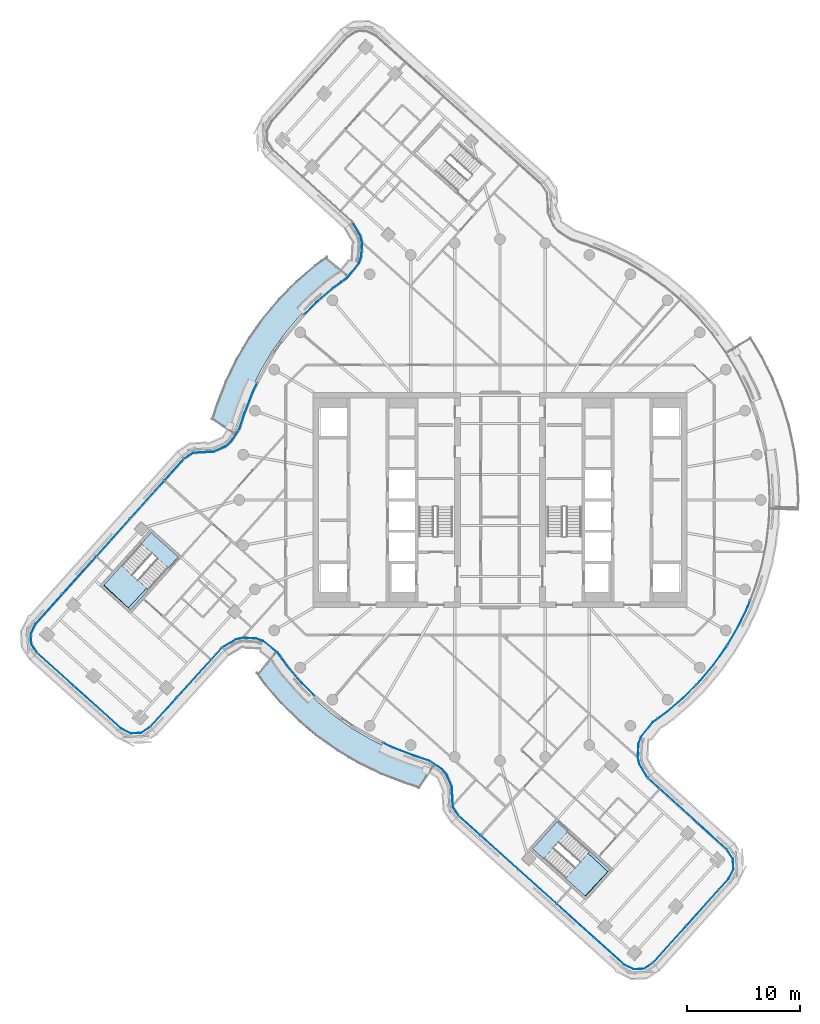
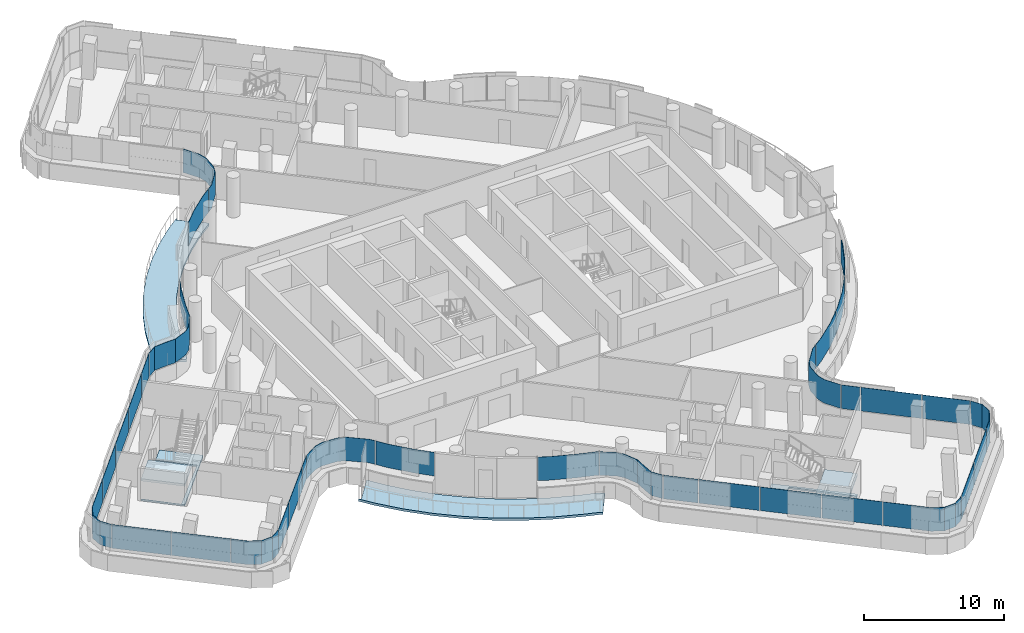
# One storey, part 16 of 31: 34 plates, 6 slabs, 11 elements without a shape of their own.
"""IFC4 building model written with IfcOpenShell, lengths in metres."""

from ifc_helpers import new_model, si_unit, direction, frame, origin, place, context, subcontext, project, spatial, polyline, outline, extrude, material, layer, layer_set, type_object, element, aggregate, save


model = new_model("IFC4")

# Units and contexts
model_context = context("Model", 3, precision=1e-05, world=origin(), true_north=direction((0.0, 1.0)))
body_context = subcontext(model_context, "Body", "Model", "MODEL_VIEW")
ifc_project = project(units=[si_unit("LENGTHUNIT", "METRE"), si_unit("AREAUNIT", "SQUARE_METRE"), si_unit("VOLUMEUNIT", "CUBIC_METRE"), si_unit("PLANEANGLEUNIT", "RADIAN"), si_unit("MASSUNIT", "GRAM", prefix="KILO")], contexts=[model_context])

# Site, building, storey
site_placement = place(None, origin())
site = spatial("IfcSite", under=ifc_project, at=site_placement, CompositionType="ELEMENT")
building_placement = place(site_placement, origin())
building = spatial("IfcBuilding", under=site, at=building_placement, Name="Tamarind Cross Interchange Tower", CompositionType="ELEMENT")
storey_placement = place(building_placement, frame((0.0, 0.0, 207.699951171875)))
storey = spatial("IfcBuildingStorey", under=building, at=storey_placement, Name="L52", CompositionType="ELEMENT", Elevation=207.699951171875)

# Slabs
ifc_material_1 = material(Name="Precast concrete C40", Category="concrete")
ifc_layer_1 = layer(ifc_material_1, 0.199951171875)
ifc_layer_set_1 = layer_set([ifc_layer_1], Name="Precast concrete C40")
slab_type_1 = type_object("IfcSlabType", Name="Balcony slab", PredefinedType="BASESLAB", material=ifc_layer_set_1)
slab_1_placement = place(storey_placement, frame((0.0, 0.0, -0.199951171875)))
element("IfcSlab", 1, at=slab_1_placement, inside=storey, type_object=slab_type_1, Name="SLB-L52-BAL02", PredefinedType="BASESLAB", context=body_context, shape_type="SweptSolid", body=[
    extrude(outline(polyline([(-19.82958984375, -13.552001953125), (-19.732177734375, -13.630615234375), (-18.87255859375, -14.820068359375), (-17.584228515625, -16.327880859375), (-16.17578125, -17.72412109375), (-14.656982421875, -18.99951171875), (-13.0380859375, -20.14501953125), (-11.329833984375, -21.15283203125), (-9.54443359375, -22.01611328125), (-7.69384765625, -22.72900390625), (-6.324951171875, -23.1806640625), (-5.8876953125, -23.4677734375), (-7.20556640625, -25.4736328125), (-7.377685546875, -25.360595703125), (-8.50146484375, -24.989990234375), (-10.499755859375, -24.219970703125), (-12.464111328125, -23.270263671875), (-14.343017578125, -22.161376953125), (-16.124267578125, -20.9013671875), (-17.795166015625, -19.498291015625), (-19.344482421875, -17.96240234375), (-20.760498046875, -16.304931640625), (-21.48974609375, -15.2958984375), (-21.33837890625, -15.41845703125), (-19.82958984375, -13.552001953125)])), origin(), (0.0, 0.0, 1.0), 0.199951171875),
])
slab_2_placement = place(storey_placement, frame((0.0, 0.0, -0.199951171875)))
element("IfcSlab", 2, at=slab_2_placement, inside=storey, type_object=slab_type_1, Name="SLB-L52-BAL10", PredefinedType="BASESLAB", context=body_context, shape_type="SweptSolid", body=[
    extrude(outline(polyline([(-13.552001953125, 19.82958984375), (-13.630615234375, 19.732177734375), (-14.820068359375, 18.87255859375), (-16.327880859375, 17.584228515625), (-17.72412109375, 16.17578125), (-18.99951171875, 14.656982421875), (-20.14501953125, 13.0380859375), (-21.15283203125, 11.329833984375), (-22.01611328125, 9.54443359375), (-22.72900390625, 7.69384765625), (-23.1806640625, 6.324951171875), (-23.4677734375, 5.8876953125), (-25.4736328125, 7.20556640625), (-25.360595703125, 7.377685546875), (-24.989990234375, 8.50146484375), (-24.219970703125, 10.499755859375), (-23.270263671875, 12.464111328125), (-22.161376953125, 14.343017578125), (-20.9013671875, 16.124267578125), (-19.498291015625, 17.795166015625), (-17.96240234375, 19.344482421875), (-16.304931640625, 20.760498046875), (-15.2958984375, 21.48974609375), (-15.41845703125, 21.33837890625), (-13.552001953125, 19.82958984375)])), origin(), (0.0, 0.0, 1.0), 0.199951171875),
])
ifc_material_2 = material(Name="Concrete C35", Category="concrete")
ifc_layer_2 = layer(ifc_material_2, 0.139892578125)
ifc_layer_set_2 = layer_set([ifc_layer_2], Name="Concrete C35")
slab_type_2 = type_object("IfcSlabType", Name="Composite slab 140 Concrete C35", PredefinedType="FLOOR", material=ifc_layer_set_2)
slab_3_placement = place(storey_placement, frame((0.0, 0.0, -0.139892578125)))
element("IfcSlab", 3, at=slab_3_placement, inside=storey, type_object=slab_type_2, Name="Floor slab L52", PredefinedType="FLOOR", context=body_context, shape_type="SweptSolid", body=[
    extrude(outline(polyline([(-28.38818359375, -5.01513671875), (-30.7685546875, -2.87646484375), (-31.645263671875, -3.852294921875), (-29.3916015625, -5.87744140625), (-32.773681640625, -9.506591796875), (-34.924560546875, -7.502197265625), (-34.97900390625, -7.562744140625), (-32.5986328125, -9.701416015625), (-28.38818359375, -5.01513671875)])), origin(), (0.0, 0.0, 1.0), 0.139892578125),
])
slab_4_placement = place(storey_placement, frame((0.0, 0.0, -0.139892578125)))
element("IfcSlab", 4, at=slab_4_placement, inside=storey, type_object=slab_type_2, Name="Floor slab L52", PredefinedType="FLOOR", context=body_context, shape_type="SweptSolid", body=[
    extrude(outline(polyline([(7.562744140625, -34.97900390625), (9.701416015625, -32.5986328125), (5.01513671875, -28.38818359375), (2.87646484375, -30.7685546875), (3.852294921875, -31.645263671875), (5.87744140625, -29.3916015625), (9.506591796875, -32.773681640625), (7.502197265625, -34.924560546875), (7.562744140625, -34.97900390625)])), origin(), (0.0, 0.0, 1.0), 0.139892578125),
])

# Stair, slab
ifc_material_3 = material(Name="Exit stair")
stair_type = type_object("IfcStairType", Name="Exit stair", PredefinedType="HALF_TURN_STAIR", material=ifc_material_3)
stair_1_placement = place(storey_placement, origin())
stair_1 = element("IfcStair", 5, at=stair_1_placement, inside=storey, type_object=stair_type, Name="L52 exit stair ST5", PredefinedType="HALF_TURN_STAIR")
ifc_material_4 = material(Name="Concrete C40", Category="concrete")
ifc_layer_3 = layer(ifc_material_4, 0.199951171875)
ifc_layer_set_3 = layer_set([ifc_layer_3], Name="Concrete C40")
slab_type_3 = type_object("IfcSlabType", Name="Stair landing", PredefinedType="LANDING", material=ifc_layer_set_3)
slab_5_placement = place(storey_placement, frame((0.0, 0.0, 1.60009765625)))
slab_5 = element("IfcSlab", 6, at=slab_5_placement, type_object=slab_type_3, Name="ST5 landing 1", PredefinedType="LANDING", context=body_context, shape_type="SweptSolid", body=[
    extrude(outline(polyline([(-33.366943359375, -5.7685546875), (-34.97900390625, -7.562744140625), (-32.5986328125, -9.701416015625), (-30.986572265625, -7.9072265625), (-33.366943359375, -5.7685546875)])), origin(), (0.0, 0.0, 1.0), 0.199951171875),
])
aggregate(stair_1, [slab_5])

stair_2_placement = place(storey_placement, origin())
stair_2 = element("IfcStair", 7, at=stair_2_placement, inside=storey, type_object=stair_type, Name="L52 exit stair ST6", PredefinedType="HALF_TURN_STAIR")
slab_6_placement = place(storey_placement, frame((0.0, 0.0, 1.60009765625)))
slab_6 = element("IfcSlab", 8, at=slab_6_placement, type_object=slab_type_3, Name="ST6 landing 1", PredefinedType="LANDING", context=body_context, shape_type="SweptSolid", body=[
    extrude(outline(polyline([(5.7685546875, -33.366943359375), (7.562744140625, -34.97900390625), (9.701416015625, -32.5986328125), (7.9072265625, -30.986572265625), (5.7685546875, -33.366943359375)])), origin(), (0.0, 0.0, 1.0), 0.199951171875),
])
aggregate(stair_2, [slab_6])

# Curtain wall, plates
ifc_material_5 = material(Name="Aluminium 6063-T6", Category="aluminium")
ifc_layer_4 = layer(ifc_material_5, 0.139892578125)
ifc_layer_set_4 = layer_set([ifc_layer_4], Name="Aluminium 6063-T6")
curtain_wall_type = type_object("IfcCurtainWallType", Name="Hotel curtain wall, 4.5 m bays", PredefinedType="NOTDEFINED", material=ifc_layer_set_4)
curtain_wall_1_placement = place(storey_placement, origin())
curtain_wall_1 = element("IfcCurtainWall", 9, at=curtain_wall_1_placement, inside=storey, type_object=curtain_wall_type, Name="CWS-L52-00", PredefinedType="NOTDEFINED")
ifc_material_6 = material(Name="Laminated low-e glass 6+1.52+6", Category="glass")
ifc_layer_5 = layer(ifc_material_6, 0.02392578125)
ifc_layer_set_5 = layer_set([ifc_layer_5], Name="Laminated low-e glass 6+1.52+6")
plate_type = type_object("IfcPlateType", Name="Vision panel CW2", PredefinedType="CURTAIN_PANEL", material=ifc_layer_set_5)
plate_1_placement = place(storey_placement, frame((0.0, 0.0, 1.400146484375)))
plate_1 = element("IfcPlate", 10, at=plate_1_placement, type_object=plate_type, Name="CWP-L52-00-00", PredefinedType="CURTAIN_PANEL", context=body_context, shape_type="SweptSolid", body=[
    extrude(outline(polyline([(-40.7919921875, -13.518310546875), (-37.604248046875, -16.382568359375), (-37.6201171875, -16.400390625), (-40.80810546875, -13.5361328125), (-40.7919921875, -13.518310546875)])), origin(), (0.0, 0.0, 1.0), 2.059814453125),
])
plate_2_placement = place(storey_placement, frame((0.0, 0.0, 1.400146484375)))
plate_2 = element("IfcPlate", 11, at=plate_2_placement, type_object=plate_type, Name="CWP-L52-00-01", PredefinedType="CURTAIN_PANEL", context=body_context, shape_type="SweptSolid", body=[
    extrude(outline(polyline([(-37.5595703125, -16.422607421875), (-34.37158203125, -19.286865234375), (-34.3876953125, -19.3046875), (-37.575439453125, -16.4404296875), (-37.5595703125, -16.422607421875)])), origin(), (0.0, 0.0, 1.0), 2.059814453125),
])
plate_3_placement = place(storey_placement, frame((0.0, 0.0, 1.400146484375)))
plate_3 = element("IfcPlate", 12, at=plate_3_placement, type_object=plate_type, Name="CWP-L52-00-02", PredefinedType="CURTAIN_PANEL", context=body_context, shape_type="SweptSolid", body=[
    extrude(outline(polyline([(-34.326904296875, -19.326904296875), (-33.416015625, -20.1455078125), (-32.568603515625, -20.576171875), (-31.6484375, -20.52685546875), (-30.875, -20.0234375), (-30.862060546875, -20.043701171875), (-31.640625, -20.550537109375), (-32.57373046875, -20.600341796875), (-33.4296875, -20.165283203125), (-34.343017578125, -19.344970703125), (-34.326904296875, -19.326904296875)])), origin(), (0.0, 0.0, 1.0), 2.059814453125),
])
aggregate(curtain_wall_1, [plate_1, plate_2, plate_3])

curtain_wall_2_placement = place(storey_placement, origin())
curtain_wall_2 = element("IfcCurtainWall", 13, at=curtain_wall_2_placement, inside=storey, type_object=curtain_wall_type, Name="CWS-L52-01", PredefinedType="NOTDEFINED")
plate_4_placement = place(storey_placement, frame((0.0, 0.0, 1.400146484375)))
plate_4 = element("IfcPlate", 14, at=plate_4_placement, type_object=plate_type, Name="CWP-L52-01-00", PredefinedType="CURTAIN_PANEL", context=body_context, shape_type="SweptSolid", body=[
    extrude(outline(polyline([(-30.832275390625, -19.987060546875), (-28.501953125, -17.417724609375), (-28.484375, -17.433837890625), (-30.814453125, -20.003173828125), (-30.832275390625, -19.987060546875)])), origin(), (0.0, 0.0, 1.0), 2.059814453125),
])
plate_5_placement = place(storey_placement, frame((0.0, 0.0, 1.400146484375)))
plate_5 = element("IfcPlate", 15, at=plate_5_placement, type_object=plate_type, Name="CWP-L52-01-01", PredefinedType="CURTAIN_PANEL", context=body_context, shape_type="SweptSolid", body=[
    extrude(outline(polyline([(-28.461669921875, -17.373291015625), (-25.477783203125, -14.0830078125), (-25.4599609375, -14.09912109375), (-28.444091796875, -17.389404296875), (-28.461669921875, -17.373291015625)])), origin(), (0.0, 0.0, 1.0), 2.059814453125),
])
plate_6_placement = place(storey_placement, frame((0.0, 0.0, 1.400146484375)))
plate_6 = element("IfcPlate", 16, at=plate_6_placement, type_object=plate_type, Name="CWP-L52-01-02", PredefinedType="CURTAIN_PANEL", context=body_context, shape_type="SweptSolid", body=[
    extrude(outline(polyline([(-25.4375, -14.03857421875), (-24.521240234375, -13.0283203125), (-24.50341796875, -13.04443359375), (-25.419677734375, -14.0546875), (-25.4375, -14.03857421875)])), origin(), (0.0, 0.0, 1.0), 2.059814453125),
])
aggregate(curtain_wall_2, [plate_4, plate_5, plate_6])

curtain_wall_3_placement = place(storey_placement, origin())
curtain_wall_3 = element("IfcCurtainWall", 17, at=curtain_wall_3_placement, inside=storey, type_object=curtain_wall_type, Name="CWS-L52-02", PredefinedType="NOTDEFINED")
plate_7_placement = place(storey_placement, frame((0.0, 0.0, 1.400146484375)))
plate_7 = element("IfcPlate", 18, at=plate_7_placement, type_object=plate_type, Name="CWP-L52-02-00", PredefinedType="CURTAIN_PANEL", context=body_context, shape_type="SweptSolid", body=[
    extrude(outline(polyline([(-24.47265625, -12.988525390625), (-23.31982421875, -12.29638671875), (-22.7001953125, -12.143310546875), (-21.476318359375, -12.2119140625), (-20.875, -12.434326171875), (-19.576904296875, -13.483642578125), (-19.29150390625, -13.87841796875), (-19.31103515625, -13.892578125), (-19.594482421875, -13.500244140625), (-20.886962890625, -12.45556640625), (-21.481201171875, -12.235595703125), (-22.697998046875, -12.16748046875), (-23.310546875, -12.31884765625), (-24.46044921875, -13.009033203125), (-24.47265625, -12.988525390625)])), origin(), (0.0, 0.0, 1.0), 2.059814453125),
])
plate_8_placement = place(storey_placement, frame((0.0, 0.0, 1.400146484375)))
plate_8 = element("IfcPlate", 19, at=plate_8_placement, type_object=plate_type, Name="CWP-L52-02-01", PredefinedType="CURTAIN_PANEL", context=body_context, shape_type="SweptSolid", body=[
    extrude(outline(polyline([(-19.25634765625, -13.927001953125), (-18.705810546875, -14.688720703125), (-17.4287109375, -16.183349609375), (-16.349609375, -17.25341796875), (-16.366455078125, -17.2705078125), (-17.4462890625, -16.19970703125), (-18.724609375, -14.70361328125), (-19.27587890625, -13.941162109375), (-19.25634765625, -13.927001953125)])), origin(), (0.0, 0.0, 1.0), 2.059814453125),
])
plate_9_placement = place(storey_placement, frame((0.0, 0.0, 1.400146484375)))
plate_9 = element("IfcPlate", 20, at=plate_9_placement, type_object=plate_type, Name="CWP-L52-02-03", PredefinedType="CURTAIN_PANEL", context=body_context, shape_type="SweptSolid", body=[
    extrude(outline(polyline([(-10.26904296875, -21.43017578125), (-9.4599609375, -21.821533203125), (-7.622314453125, -22.529296875), (-6.23193359375, -22.988037109375), (-6.1435546875, -23.046142578125), (-6.15673828125, -23.066162109375), (-6.242431640625, -23.009765625), (-7.63037109375, -22.552001953125), (-9.469482421875, -21.843505859375), (-10.279541015625, -21.451904296875), (-10.26904296875, -21.43017578125)])), origin(), (0.0, 0.0, 1.0), 2.059814453125),
])
plate_10_placement = place(storey_placement, frame((0.0, 0.0, 1.400146484375)))
plate_10 = element("IfcPlate", 21, at=plate_10_placement, type_object=plate_type, Name="CWP-L52-02-04", PredefinedType="CURTAIN_PANEL", context=body_context, shape_type="SweptSolid", body=[
    extrude(outline(polyline([(-6.09326171875, -23.0791015625), (-5.107177734375, -23.72705078125), (-4.705322265625, -24.206298828125), (-4.2275390625, -25.31884765625), (-4.206298828125, -26.1552734375), (-4.134521484375, -27.09814453125), (-3.640380859375, -27.844970703125), (-3.660400390625, -27.8583984375), (-4.157958984375, -27.106201171875), (-4.230224609375, -26.156494140625), (-4.25146484375, -25.323974609375), (-4.72607421875, -24.218994140625), (-5.123291015625, -23.7451171875), (-6.1064453125, -23.09912109375), (-6.09326171875, -23.0791015625)])), origin(), (0.0, 0.0, 1.0), 2.059814453125),
])
aggregate(curtain_wall_3, [plate_7, plate_8, plate_9, plate_10])

curtain_wall_4_placement = place(storey_placement, origin())
curtain_wall_4 = element("IfcCurtainWall", 22, at=curtain_wall_4_placement, inside=storey, type_object=curtain_wall_type, Name="CWS-L52-03", PredefinedType="NOTDEFINED")
plate_11_placement = place(storey_placement, frame((0.0, 0.0, 1.400146484375)))
plate_11 = element("IfcPlate", 23, at=plate_11_placement, type_object=plate_type, Name="CWP-L52-03-00", PredefinedType="CURTAIN_PANEL", context=body_context, shape_type="SweptSolid", body=[
    extrude(outline(polyline([(-3.603515625, -27.8876953125), (-1.718505859375, -29.58154296875), (-1.734375, -29.599365234375), (-3.619384765625, -27.90576171875), (-3.603515625, -27.8876953125)])), origin(), (0.0, 0.0, 1.0), 2.059814453125),
])
plate_12_placement = place(storey_placement, frame((0.0, 0.0, 1.400146484375)))
plate_12 = element("IfcPlate", 24, at=plate_12_placement, type_object=plate_type, Name="CWP-L52-03-01", PredefinedType="CURTAIN_PANEL", context=body_context, shape_type="SweptSolid", body=[
    extrude(outline(polyline([(-1.673828125, -29.62158203125), (1.6201171875, -32.5810546875), (1.60400390625, -32.598876953125), (-1.68994140625, -29.639404296875), (-1.673828125, -29.62158203125)])), origin(), (0.0, 0.0, 1.0), 2.059814453125),
])
plate_13_placement = place(storey_placement, frame((0.0, 0.0, 1.400146484375)))
plate_13 = element("IfcPlate", 25, at=plate_13_placement, type_object=plate_type, Name="CWP-L52-03-02", PredefinedType="CURTAIN_PANEL", context=body_context, shape_type="SweptSolid", body=[
    extrude(outline(polyline([(1.66455078125, -32.62109375), (4.95849609375, -35.58056640625), (4.9423828125, -35.598388671875), (1.648681640625, -32.638916015625), (1.66455078125, -32.62109375)])), origin(), (0.0, 0.0, 1.0), 2.059814453125),
])
plate_14_placement = place(storey_placement, frame((0.0, 0.0, 1.400146484375)))
plate_14 = element("IfcPlate", 26, at=plate_14_placement, type_object=plate_type, Name="CWP-L52-03-03", PredefinedType="CURTAIN_PANEL", context=body_context, shape_type="SweptSolid", body=[
    extrude(outline(polyline([(5.003173828125, -35.62060546875), (8.296875, -38.580078125), (8.281005859375, -38.597900390625), (4.987060546875, -35.638427734375), (5.003173828125, -35.62060546875)])), origin(), (0.0, 0.0, 1.0), 2.059814453125),
])
plate_15_placement = place(storey_placement, frame((0.0, 0.0, 1.400146484375)))
plate_15 = element("IfcPlate", 27, at=plate_15_placement, type_object=plate_type, Name="CWP-L52-03-04", PredefinedType="CURTAIN_PANEL", context=body_context, shape_type="SweptSolid", body=[
    extrude(outline(polyline([(8.341552734375, -38.620361328125), (10.934814453125, -40.9501953125), (11.7822265625, -41.380859375), (12.70263671875, -41.331787109375), (13.4755859375, -40.82861328125), (13.488525390625, -40.848876953125), (12.71044921875, -41.355224609375), (11.777099609375, -41.4052734375), (10.921142578125, -40.97021484375), (8.32568359375, -38.63818359375), (8.341552734375, -38.620361328125)])), origin(), (0.0, 0.0, 1.0), 2.059814453125),
])
aggregate(curtain_wall_4, [plate_11, plate_12, plate_13, plate_14, plate_15])

curtain_wall_5_placement = place(storey_placement, origin())
curtain_wall_5 = element("IfcCurtainWall", 28, at=curtain_wall_5_placement, inside=storey, type_object=curtain_wall_type, Name="CWS-L52-04", PredefinedType="NOTDEFINED")
plate_16_placement = place(storey_placement, frame((0.0, 0.0, 1.400146484375)))
plate_16 = element("IfcPlate", 29, at=plate_16_placement, type_object=plate_type, Name="CWP-L52-04-00", PredefinedType="CURTAIN_PANEL", context=body_context, shape_type="SweptSolid", body=[
    extrude(outline(polyline([(13.518310546875, -40.7919921875), (16.382568359375, -37.604248046875), (16.400390625, -37.6201171875), (13.5361328125, -40.80810546875), (13.518310546875, -40.7919921875)])), origin(), (0.0, 0.0, 1.0), 2.059814453125),
])
plate_17_placement = place(storey_placement, frame((0.0, 0.0, 1.400146484375)))
plate_17 = element("IfcPlate", 30, at=plate_17_placement, type_object=plate_type, Name="CWP-L52-04-01", PredefinedType="CURTAIN_PANEL", context=body_context, shape_type="SweptSolid", body=[
    extrude(outline(polyline([(16.422607421875, -37.5595703125), (19.286865234375, -34.37158203125), (19.3046875, -34.3876953125), (16.4404296875, -37.575439453125), (16.422607421875, -37.5595703125)])), origin(), (0.0, 0.0, 1.0), 2.059814453125),
])
plate_18_placement = place(storey_placement, frame((0.0, 0.0, 1.400146484375)))
plate_18 = element("IfcPlate", 31, at=plate_18_placement, type_object=plate_type, Name="CWP-L52-04-02", PredefinedType="CURTAIN_PANEL", context=body_context, shape_type="SweptSolid", body=[
    extrude(outline(polyline([(19.326904296875, -34.326904296875), (20.1455078125, -33.416015625), (20.576171875, -32.568603515625), (20.52685546875, -31.6484375), (20.0234375, -30.875), (20.043701171875, -30.862060546875), (20.550537109375, -31.640625), (20.600341796875, -32.57373046875), (20.165283203125, -33.4296875), (19.344970703125, -34.343017578125), (19.326904296875, -34.326904296875)])), origin(), (0.0, 0.0, 1.0), 2.059814453125),
])
aggregate(curtain_wall_5, [plate_16, plate_17, plate_18])

curtain_wall_6_placement = place(storey_placement, origin())
curtain_wall_6 = element("IfcCurtainWall", 32, at=curtain_wall_6_placement, inside=storey, type_object=curtain_wall_type, Name="CWS-L52-05", PredefinedType="NOTDEFINED")
plate_19_placement = place(storey_placement, frame((0.0, 0.0, 1.400146484375)))
plate_19 = element("IfcPlate", 33, at=plate_19_placement, type_object=plate_type, Name="CWP-L52-05-00", PredefinedType="CURTAIN_PANEL", context=body_context, shape_type="SweptSolid", body=[
    extrude(outline(polyline([(19.987060546875, -30.832275390625), (17.417724609375, -28.501953125), (17.433837890625, -28.484375), (20.003173828125, -30.814453125), (19.987060546875, -30.832275390625)])), origin(), (0.0, 0.0, 1.0), 2.059814453125),
])
plate_20_placement = place(storey_placement, frame((0.0, 0.0, 1.400146484375)))
plate_20 = element("IfcPlate", 34, at=plate_20_placement, type_object=plate_type, Name="CWP-L52-05-01", PredefinedType="CURTAIN_PANEL", context=body_context, shape_type="SweptSolid", body=[
    extrude(outline(polyline([(17.373291015625, -28.461669921875), (14.0830078125, -25.477783203125), (14.09912109375, -25.4599609375), (17.389404296875, -28.444091796875), (17.373291015625, -28.461669921875)])), origin(), (0.0, 0.0, 1.0), 2.059814453125),
])
plate_21_placement = place(storey_placement, frame((0.0, 0.0, 1.400146484375)))
plate_21 = element("IfcPlate", 35, at=plate_21_placement, type_object=plate_type, Name="CWP-L52-05-02", PredefinedType="CURTAIN_PANEL", context=body_context, shape_type="SweptSolid", body=[
    extrude(outline(polyline([(14.03857421875, -25.4375), (13.0283203125, -24.521240234375), (13.04443359375, -24.50341796875), (14.0546875, -25.419677734375), (14.03857421875, -25.4375)])), origin(), (0.0, 0.0, 1.0), 2.059814453125),
])
aggregate(curtain_wall_6, [plate_19, plate_20, plate_21])

curtain_wall_7_placement = place(storey_placement, origin())
curtain_wall_7 = element("IfcCurtainWall", 36, at=curtain_wall_7_placement, inside=storey, type_object=curtain_wall_type, Name="CWS-L52-06", PredefinedType="NOTDEFINED")
plate_22_placement = place(storey_placement, frame((0.0, 0.0, 1.400146484375)))
plate_22 = element("IfcPlate", 37, at=plate_22_placement, type_object=plate_type, Name="CWP-L52-06-00", PredefinedType="CURTAIN_PANEL", context=body_context, shape_type="SweptSolid", body=[
    extrude(outline(polyline([(12.988525390625, -24.47265625), (12.29638671875, -23.31982421875), (12.143310546875, -22.7001953125), (12.2119140625, -21.476318359375), (12.434326171875, -20.875), (13.483642578125, -19.576904296875), (13.87841796875, -19.29150390625), (13.892578125, -19.31103515625), (13.500244140625, -19.594482421875), (12.45556640625, -20.886962890625), (12.235595703125, -21.481201171875), (12.16748046875, -22.697998046875), (12.31884765625, -23.310546875), (13.009033203125, -24.46044921875), (12.988525390625, -24.47265625)])), origin(), (0.0, 0.0, 1.0), 2.059814453125),
])
plate_23_placement = place(storey_placement, frame((0.0, 0.0, 1.400146484375)))
plate_23 = element("IfcPlate", 38, at=plate_23_placement, type_object=plate_type, Name="CWP-L52-06-01", PredefinedType="CURTAIN_PANEL", context=body_context, shape_type="SweptSolid", body=[
    extrude(outline(polyline([(13.927001953125, -19.25634765625), (14.688720703125, -18.705810546875), (16.183349609375, -17.4287109375), (17.25341796875, -16.349609375), (17.2705078125, -16.366455078125), (16.19970703125, -17.4462890625), (14.70361328125, -18.724609375), (13.941162109375, -19.27587890625), (13.927001953125, -19.25634765625)])), origin(), (0.0, 0.0, 1.0), 2.059814453125),
])
plate_24_placement = place(storey_placement, frame((0.0, 0.0, 1.400146484375)))
plate_24 = element("IfcPlate", 39, at=plate_24_placement, type_object=plate_type, Name="CWP-L52-06-02", PredefinedType="CURTAIN_PANEL", context=body_context, shape_type="SweptSolid", body=[
    extrude(outline(polyline([(17.295654296875, -16.306884765625), (17.5673828125, -16.032958984375), (18.83154296875, -14.52734375), (19.966796875, -12.922607421875), (20.010498046875, -12.848388671875), (20.03125, -12.860595703125), (19.987060546875, -12.935791015625), (18.850341796875, -14.5419921875), (17.585205078125, -16.049072265625), (17.312744140625, -16.323974609375), (17.295654296875, -16.306884765625)])), origin(), (0.0, 0.0, 1.0), 2.059814453125),
])
plate_25_placement = place(storey_placement, frame((0.0, 0.0, 1.400146484375)))
plate_25 = element("IfcPlate", 40, at=plate_25_placement, type_object=plate_type, Name="CWP-L52-06-03", PredefinedType="CURTAIN_PANEL", context=body_context, shape_type="SweptSolid", body=[
    extrude(outline(polyline([(20.041015625, -12.796875), (20.9658203125, -11.229736328125), (21.821533203125, -9.4599609375), (22.044189453125, -8.881591796875), (22.066650390625, -8.890380859375), (21.843505859375, -9.469482421875), (20.98681640625, -11.240966796875), (20.061767578125, -12.808837890625), (20.041015625, -12.796875)])), origin(), (0.0, 0.0, 1.0), 2.059814453125),
])
aggregate(curtain_wall_7, [plate_22, plate_23, plate_24, plate_25])

curtain_wall_8_placement = place(storey_placement, origin())
curtain_wall_8 = element("IfcCurtainWall", 41, at=curtain_wall_8_placement, inside=storey, type_object=curtain_wall_type, Name="CWS-L52-10", PredefinedType="NOTDEFINED")
plate_26_placement = place(storey_placement, frame((0.0, 0.0, 1.400146484375)))
plate_26 = element("IfcPlate", 42, at=plate_26_placement, type_object=plate_type, Name="CWP-L52-10-00", PredefinedType="CURTAIN_PANEL", context=body_context, shape_type="SweptSolid", body=[
    extrude(outline(polyline([(-12.988525390625, 24.47265625), (-12.29638671875, 23.31982421875), (-12.143310546875, 22.7001953125), (-12.2119140625, 21.476318359375), (-12.434326171875, 20.875), (-13.483642578125, 19.576904296875), (-13.87841796875, 19.29150390625), (-13.892578125, 19.31103515625), (-13.500244140625, 19.594482421875), (-12.45556640625, 20.886962890625), (-12.235595703125, 21.481201171875), (-12.16748046875, 22.697998046875), (-12.31884765625, 23.310546875), (-13.009033203125, 24.46044921875), (-12.988525390625, 24.47265625)])), origin(), (0.0, 0.0, 1.0), 2.059814453125),
])
plate_27_placement = place(storey_placement, frame((0.0, 0.0, 1.400146484375)))
plate_27 = element("IfcPlate", 43, at=plate_27_placement, type_object=plate_type, Name="CWP-L52-10-01", PredefinedType="CURTAIN_PANEL", context=body_context, shape_type="SweptSolid", body=[
    extrude(outline(polyline([(-13.927001953125, 19.25634765625), (-14.688720703125, 18.705810546875), (-16.183349609375, 17.4287109375), (-17.25341796875, 16.349609375), (-17.2705078125, 16.366455078125), (-16.19970703125, 17.4462890625), (-14.70361328125, 18.724609375), (-13.941162109375, 19.27587890625), (-13.927001953125, 19.25634765625)])), origin(), (0.0, 0.0, 1.0), 2.059814453125),
])
plate_28_placement = place(storey_placement, frame((0.0, 0.0, 1.400146484375)))
plate_28 = element("IfcPlate", 44, at=plate_28_placement, type_object=plate_type, Name="CWP-L52-10-03", PredefinedType="CURTAIN_PANEL", context=body_context, shape_type="SweptSolid", body=[
    extrude(outline(polyline([(-21.43017578125, 10.26904296875), (-21.821533203125, 9.4599609375), (-22.529296875, 7.622314453125), (-22.988037109375, 6.23193359375), (-23.046142578125, 6.1435546875), (-23.066162109375, 6.15673828125), (-23.009765625, 6.242431640625), (-22.552001953125, 7.63037109375), (-21.843505859375, 9.469482421875), (-21.451904296875, 10.279541015625), (-21.43017578125, 10.26904296875)])), origin(), (0.0, 0.0, 1.0), 2.059814453125),
])
plate_29_placement = place(storey_placement, frame((0.0, 0.0, 1.400146484375)))
plate_29 = element("IfcPlate", 45, at=plate_29_placement, type_object=plate_type, Name="CWP-L52-10-04", PredefinedType="CURTAIN_PANEL", context=body_context, shape_type="SweptSolid", body=[
    extrude(outline(polyline([(-23.0791015625, 6.09326171875), (-23.72705078125, 5.107177734375), (-24.206298828125, 4.705322265625), (-25.31884765625, 4.2275390625), (-26.1552734375, 4.206298828125), (-27.09814453125, 4.134521484375), (-27.844970703125, 3.640380859375), (-27.8583984375, 3.660400390625), (-27.106201171875, 4.157958984375), (-26.156494140625, 4.230224609375), (-25.323974609375, 4.25146484375), (-24.218994140625, 4.72607421875), (-23.7451171875, 5.123291015625), (-23.09912109375, 6.1064453125), (-23.0791015625, 6.09326171875)])), origin(), (0.0, 0.0, 1.0), 2.059814453125),
])
aggregate(curtain_wall_8, [plate_26, plate_27, plate_28, plate_29])

curtain_wall_9_placement = place(storey_placement, origin())
curtain_wall_9 = element("IfcCurtainWall", 46, at=curtain_wall_9_placement, inside=storey, type_object=curtain_wall_type, Name="CWS-L52-11", PredefinedType="NOTDEFINED")
plate_30_placement = place(storey_placement, frame((0.0, 0.0, 1.400146484375)))
plate_30 = element("IfcPlate", 47, at=plate_30_placement, type_object=plate_type, Name="CWP-L52-11-00", PredefinedType="CURTAIN_PANEL", context=body_context, shape_type="SweptSolid", body=[
    extrude(outline(polyline([(-27.8876953125, 3.603515625), (-29.58154296875, 1.718505859375), (-29.599365234375, 1.734375), (-27.90576171875, 3.619384765625), (-27.8876953125, 3.603515625)])), origin(), (0.0, 0.0, 1.0), 2.059814453125),
])
plate_31_placement = place(storey_placement, frame((0.0, 0.0, 1.400146484375)))
plate_31 = element("IfcPlate", 48, at=plate_31_placement, type_object=plate_type, Name="CWP-L52-11-01", PredefinedType="CURTAIN_PANEL", context=body_context, shape_type="SweptSolid", body=[
    extrude(outline(polyline([(-29.62158203125, 1.673828125), (-32.5810546875, -1.6201171875), (-32.598876953125, -1.60400390625), (-29.639404296875, 1.68994140625), (-29.62158203125, 1.673828125)])), origin(), (0.0, 0.0, 1.0), 2.059814453125),
])
plate_32_placement = place(storey_placement, frame((0.0, 0.0, 1.400146484375)))
plate_32 = element("IfcPlate", 49, at=plate_32_placement, type_object=plate_type, Name="CWP-L52-11-02", PredefinedType="CURTAIN_PANEL", context=body_context, shape_type="SweptSolid", body=[
    extrude(outline(polyline([(-32.62109375, -1.66455078125), (-35.58056640625, -4.95849609375), (-35.598388671875, -4.9423828125), (-32.638916015625, -1.648681640625), (-32.62109375, -1.66455078125)])), origin(), (0.0, 0.0, 1.0), 2.059814453125),
])
plate_33_placement = place(storey_placement, frame((0.0, 0.0, 1.400146484375)))
plate_33 = element("IfcPlate", 50, at=plate_33_placement, type_object=plate_type, Name="CWP-L52-11-03", PredefinedType="CURTAIN_PANEL", context=body_context, shape_type="SweptSolid", body=[
    extrude(outline(polyline([(-35.62060546875, -5.003173828125), (-38.580078125, -8.296875), (-38.597900390625, -8.281005859375), (-35.638427734375, -4.987060546875), (-35.62060546875, -5.003173828125)])), origin(), (0.0, 0.0, 1.0), 2.059814453125),
])
plate_34_placement = place(storey_placement, frame((0.0, 0.0, 1.400146484375)))
plate_34 = element("IfcPlate", 51, at=plate_34_placement, type_object=plate_type, Name="CWP-L52-11-04", PredefinedType="CURTAIN_PANEL", context=body_context, shape_type="SweptSolid", body=[
    extrude(outline(polyline([(-38.620361328125, -8.341552734375), (-40.9501953125, -10.934814453125), (-41.380859375, -11.7822265625), (-41.331787109375, -12.70263671875), (-40.82861328125, -13.4755859375), (-40.848876953125, -13.488525390625), (-41.355224609375, -12.71044921875), (-41.4052734375, -11.777099609375), (-40.97021484375, -10.921142578125), (-38.63818359375, -8.32568359375), (-38.620361328125, -8.341552734375)])), origin(), (0.0, 0.0, 1.0), 2.059814453125),
])
aggregate(curtain_wall_9, [plate_30, plate_31, plate_32, plate_33, plate_34])

save(model, "model.ifc")
